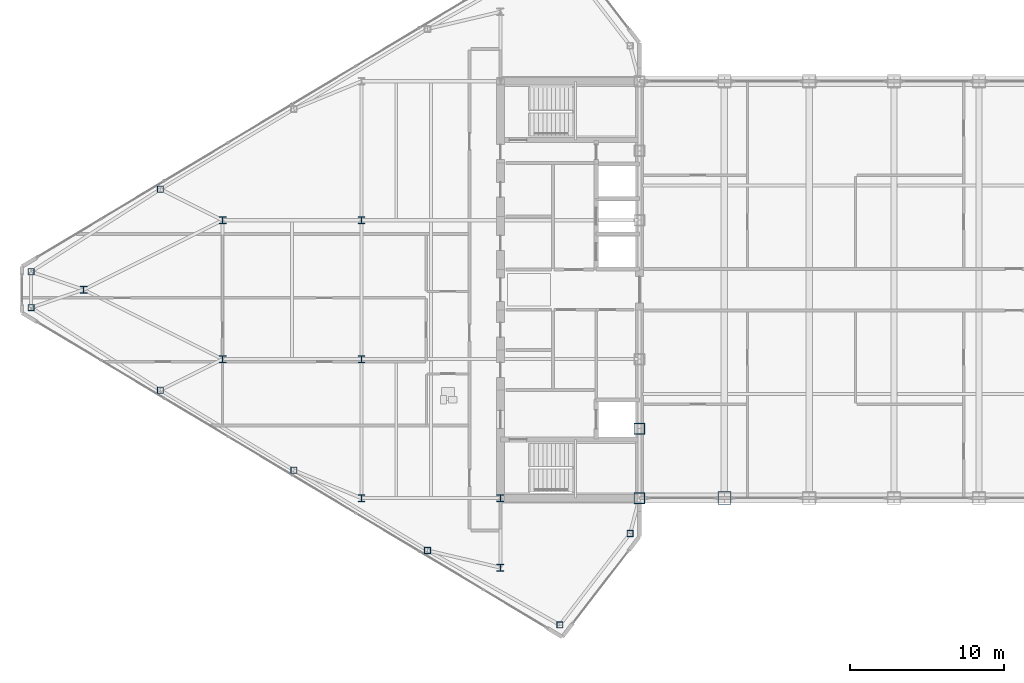
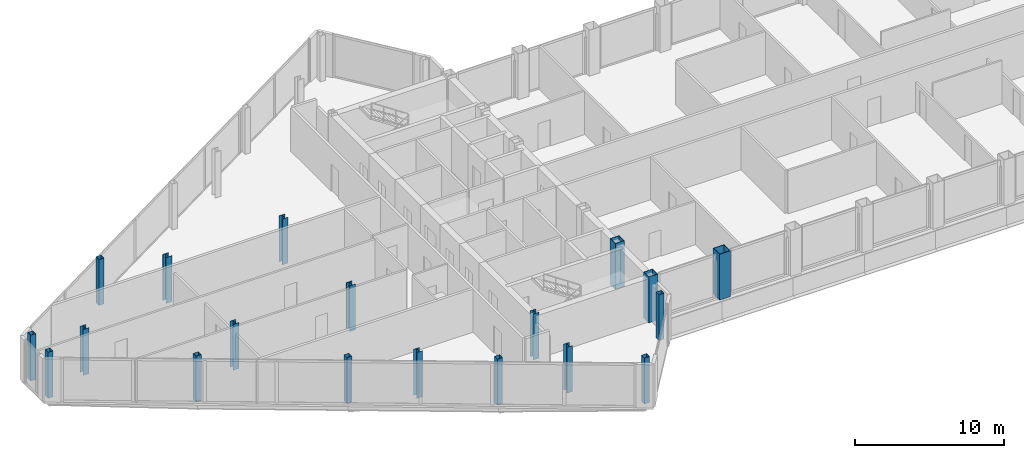
# One storey, part 1 of 29: 19 columns.
"""IFC4 building model written with IfcOpenShell, lengths in metres."""

from ifc_helpers import new_model, si_unit, direction, frame, origin, origin_2d, place, context, subcontext, project, spatial, hollow_rectangle, i_section, extrude, source, transform, mapped, material, material_profile, profile_set, type_object, type_shapes, element, save


model = new_model("IFC4")

# Units and contexts
model_context = context("Model", 3, precision=1e-05, world=origin(), true_north=direction((0.0, 1.0)))
body_context = subcontext(model_context, "Body", "Model", "MODEL_VIEW")
ifc_project = project(units=[si_unit("LENGTHUNIT", "METRE"), si_unit("AREAUNIT", "SQUARE_METRE"), si_unit("VOLUMEUNIT", "CUBIC_METRE"), si_unit("PLANEANGLEUNIT", "RADIAN"), si_unit("MASSUNIT", "GRAM", prefix="KILO")], contexts=[model_context])

# Site, building, storey
site_placement = place(None, origin())
site = spatial("IfcSite", under=ifc_project, at=site_placement, CompositionType="ELEMENT")
building_placement = place(site_placement, origin())
building = spatial("IfcBuilding", under=site, at=building_placement, Name="Seokmaru Belvedere", CompositionType="ELEMENT")
storey_placement = place(building_placement, frame((0.0, 0.0, 239.39990234375)))
storey = spatial("IfcBuildingStorey", under=building, at=storey_placement, Name="L63", CompositionType="ELEMENT", Elevation=239.39990234375)

# Columns
ifc_material_1 = material(Name="Steel SM355 (355 MPa)", Category="steel")
ifc_material_profile_1 = material_profile(ifc_material_1, hollow_rectangle(XDim=0.699951171875, YDim=0.699951171875, WallThickness=0.030029296875, at=origin_2d()), Name="BOX-700x700x30")
ifc_profile_set_1 = profile_set([ifc_material_profile_1], Name="Steel SM355 (355 MPa)")
column_type_1 = type_object("IfcColumnType", Name="Upper Spine Column BOX-700", PredefinedType="COLUMN", material=ifc_profile_set_1)
shared_shape_1 = source(origin(), body_context, "Body", "SweptSolid", [
    extrude(hollow_rectangle(XDim=0.699951171875, YDim=0.699951171875, WallThickness=0.030029296875, at=origin_2d()), origin(), (0.0, 0.0, 1.0), 3.75),
])
type_shapes(column_type_1, [shared_shape_1])
for number, where, z_axis, x_axis, name in (
    (1, (-27.5, -13.5, 0.0), (0.0, 0.0, 1.0), (1.0, 0.0, 0.0), "L63 Column WS1"),
    (2, (-27.5, -9.0, 0.0), (0.0, 0.0, 1.0), (1.0, 0.0, 0.0), "L63 Column WS2"),
):
    element("IfcColumn", number, at=place(storey_placement, frame(where, z_axis=z_axis, x_axis=x_axis)), inside=storey, type_object=column_type_1, Name=name, PredefinedType="COLUMN", context=body_context, shape_type="MappedRepresentation", body=[
        mapped(shared_shape_1, transform((0.0, 0.0, 0.0), scale=1.0)),
    ])
ifc_material_profile_2 = material_profile(ifc_material_1, i_section(OverallWidth=0.449951171875, OverallDepth=0.449951171875, WebThickness=0.01611328125, FlangeThickness=0.02490234375, at=origin_2d()), Name="H-450x450x16x25")
ifc_profile_set_2 = profile_set([ifc_material_profile_2], Name="Steel SM355 (355 MPa)")
column_type_2 = type_object("IfcColumnType", Name="Sky-Gate Column H-450", PredefinedType="COLUMN", material=ifc_profile_set_2)
shared_shape_2 = source(origin(), body_context, "Body", "SweptSolid", [
    extrude(i_section(OverallWidth=0.449951171875, OverallDepth=0.449951171875, WebThickness=0.01611328125, FlangeThickness=0.02490234375, at=origin_2d()), origin(), (0.0, 0.0, 1.0), 3.75),
])
type_shapes(column_type_2, [shared_shape_2])
for number, where, z_axis, x_axis, name in (
    (3, (-36.5, -18.0, 0.0), (0.0, 0.0, 1.0), (1.0, 0.0, 0.0), "L63 Column WC1"),
    (4, (-36.5, -13.5, 0.0), (0.0, 0.0, 1.0), (1.0, 0.0, 0.0), "L63 Column WC2"),
    (5, (-45.5, -13.5, 0.0), (0.0, 0.0, 1.0), (1.0, 0.0, 0.0), "L63 Column WG5_1"),
    (6, (-45.5, -4.5, 0.0), (0.0, 0.0, 1.0), (1.0, 0.0, 0.0), "L63 Column WG5_2"),
    (7, (-45.5, 4.5, 0.0), (0.0, 0.0, 1.0), (1.0, 0.0, 0.0), "L63 Column WG5_3"),
    (8, (-54.5, -4.5, 0.0), (0.0, 0.0, 1.0), (1.0, 0.0, 0.0), "L63 Column WG4P_1"),
    (9, (-54.5, 4.5, 0.0), (0.0, 0.0, 1.0), (1.0, 0.0, 0.0), "L63 Column WG4P_2"),
    (10, (-63.5, 0.0, 0.0), (0.0, 0.0, 1.0), (1.0, 0.0, 0.0), "L63 Column WG3P_1"),
):
    element("IfcColumn", number, at=place(storey_placement, frame(where, z_axis=z_axis, x_axis=x_axis)), inside=storey, type_object=column_type_2, Name=name, PredefinedType="COLUMN", context=body_context, shape_type="MappedRepresentation", body=[
        mapped(shared_shape_2, transform((0.0, 0.0, 0.0), scale=1.0)),
    ])
ifc_material_profile_3 = material_profile(ifc_material_1, hollow_rectangle(XDim=0.39990234375, YDim=0.39990234375, WallThickness=0.01611328125, at=origin_2d()), Name="HSS-400x400x16")
ifc_profile_set_3 = profile_set([ifc_material_profile_3], Name="Steel SM355 (355 MPa)")
column_type_3 = type_object("IfcColumnType", Name="Perimeter Facet Column HSS-400", PredefinedType="COLUMN", material=ifc_profile_set_3)
shared_shape_3 = source(origin(), body_context, "Body", "SweptSolid", [
    extrude(hollow_rectangle(XDim=0.39990234375, YDim=0.39990234375, WallThickness=0.01611328125, at=origin_2d()), origin(), (0.0, 0.0, 1.0), 3.75),
])
type_shapes(column_type_3, [shared_shape_3])
for number, where, z_axis, x_axis, name in (
    (11, (-28.10009765625, -15.7958984375, 0.0), (0.0, 0.0, 1.0), (1.0, 0.0, 0.0), "L63 Column WF1"),
    (12, (-66.89990234375, 1.160400390625, 0.0), (0.0, 0.0, 1.0), (1.0, 0.0, 0.0), "L63 Column WF4"),
    (13, (-66.89990234375, -1.160400390625, 0.0), (0.0, 0.0, 1.0), (1.0, 0.0, 0.0), "L63 Column WF5"),
    (14, (-32.649658203125, -21.71044921875, 0.0), (0.0, 0.0, 1.0), (1.0, 0.0, 0.0), "L63 Column WF6"),
    (15, (-41.229736328125, -16.888916015625, 0.0), (0.0, 0.0, 1.0), (1.0, 0.0, 0.0), "L63 Column WFLK_S1"),
    (16, (-49.8798828125, -11.698974609375, 0.0), (0.0, 0.0, 1.0), (1.0, 0.0, 0.0), "L63 Column WFLK_S2"),
    (17, (-58.530029296875, -6.5087890625, 0.0), (0.0, 0.0, 1.0), (1.0, 0.0, 0.0), "L63 Column WFLK_S3"),
    (18, (-58.530029296875, 6.5087890625, 0.0), (0.0, 0.0, 1.0), (1.0, 0.0, 0.0), "L63 Column WFLK_N3"),
):
    element("IfcColumn", number, at=place(storey_placement, frame(where, z_axis=z_axis, x_axis=x_axis)), inside=storey, type_object=column_type_3, Name=name, PredefinedType="COLUMN", context=body_context, shape_type="MappedRepresentation", body=[
        mapped(shared_shape_3, transform((0.0, 0.0, 0.0), scale=1.0)),
    ])
ifc_material_2 = material(Name="Steel HSA650 (650 MPa)", Category="steel")
ifc_material_profile_4 = material_profile(ifc_material_2, hollow_rectangle(XDim=0.85009765625, YDim=0.85009765625, WallThickness=0.035888671875, at=origin_2d()), Name="BOX-850x850x36")
ifc_profile_set_4 = profile_set([ifc_material_profile_4], Name="Steel HSA650 (650 MPa)")
column_type_4 = type_object("IfcColumnType", Name="Portal Spine Column BOX-850", PredefinedType="COLUMN", material=ifc_profile_set_4)
shared_shape_4 = source(origin(), body_context, "Body", "SweptSolid", [
    extrude(hollow_rectangle(XDim=0.85009765625, YDim=0.85009765625, WallThickness=0.035888671875, at=origin_2d()), origin(), (0.0, 0.0, 1.0), 3.75),
])
type_shapes(column_type_4, [shared_shape_4])
column_placement = place(storey_placement, frame((-22.0, -13.5, 0.0), z_axis=(0.0, 0.0, 1.0), x_axis=(1.0, 0.0, 0.0)))
element("IfcColumn", 19, at=column_placement, inside=storey, type_object=column_type_4, Name="L63 Column BRS_1", PredefinedType="COLUMN", context=body_context, shape_type="MappedRepresentation", body=[
    mapped(shared_shape_4, transform((0.0, 0.0, 0.0), scale=1.0)),
])

save(model, "model.ifc")
